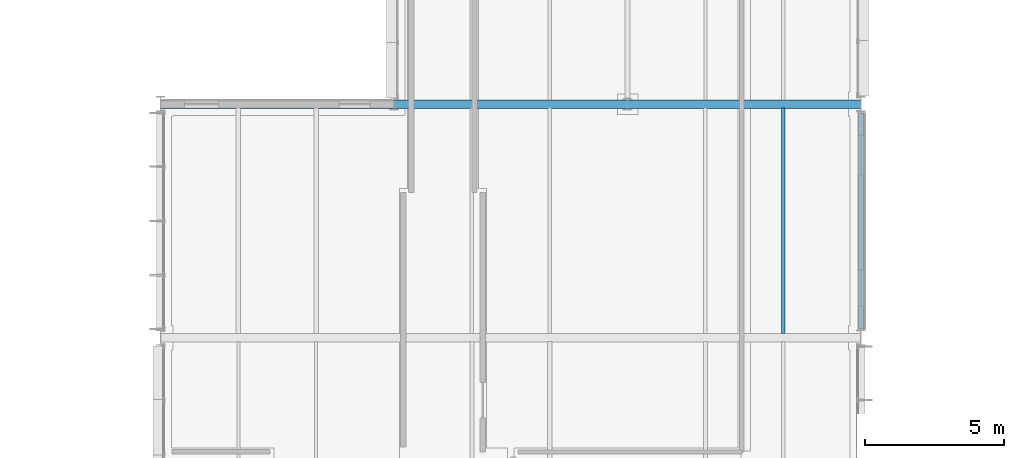
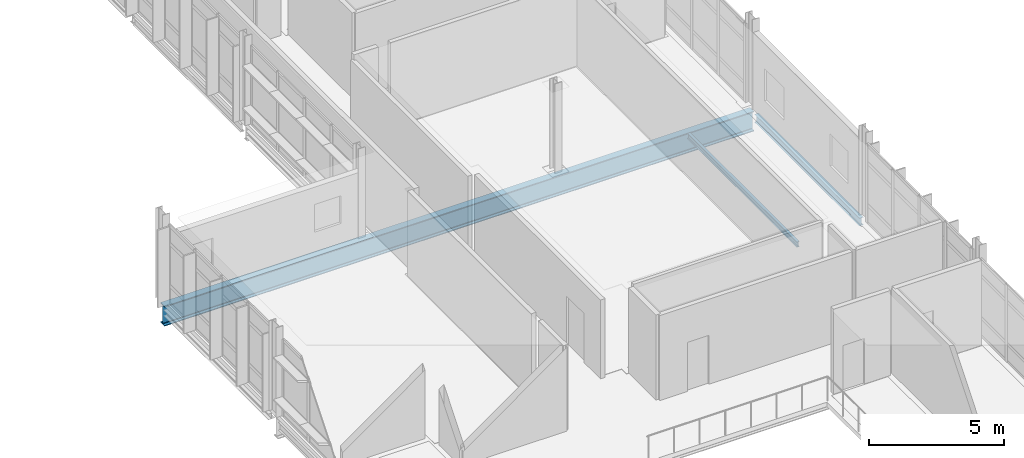
# One storey, part 65 of 151: 3 beams.
"""IFC4 building model written with IfcOpenShell, lengths in metres."""

from ifc_helpers import new_model, si_unit, direction, frame, origin, origin_2d, place, context, subcontext, project, spatial, i_section, extrude, material, material_profile, profile_set, type_object, element, save


model = new_model("IFC4")

# Units and contexts
model_context = context("Model", 3, precision=1e-05, world=origin(), true_north=direction((0.0, 1.0)))
body_context = subcontext(model_context, "Body", "Model", "MODEL_VIEW")
ifc_project = project(units=[si_unit("LENGTHUNIT", "METRE"), si_unit("AREAUNIT", "SQUARE_METRE"), si_unit("VOLUMEUNIT", "CUBIC_METRE"), si_unit("PLANEANGLEUNIT", "RADIAN"), si_unit("MASSUNIT", "GRAM", prefix="KILO")], contexts=[model_context])

# Site, building, storey
site_placement = place(None, origin())
site = spatial("IfcSite", under=ifc_project, at=site_placement, CompositionType="ELEMENT")
building_placement = place(site_placement, origin())
building = spatial("IfcBuilding", under=site, at=building_placement, Name="Mersafa Astral City Hall", CompositionType="ELEMENT")
storey_placement = place(building_placement, frame((0.0, 0.0, 9.89990234375)))
storey = spatial("IfcBuildingStorey", under=building, at=storey_placement, Name="L02", CompositionType="ELEMENT", Elevation=9.89990234375)

# Beams
ifc_material = material(Name="Steel S355", Category="steel")
ifc_material_profile_1 = material_profile(ifc_material, i_section(OverallWidth=0.300048828125, OverallDepth=0.89990234375, WebThickness=0.0185546875, FlangeThickness=0.034912109375, FilletRadius=0.030029296875, at=origin_2d()), Name="HEB 900")
ifc_profile_set_1 = profile_set([ifc_material_profile_1], Name="Steel S355")
beam_type_1 = type_object("IfcBeamType", Name="STR-BM-HEB900", PredefinedType="BEAM", material=ifc_profile_set_1)
beam_1_placement = place(storey_placement, frame((92.403076171875, 92.39990234375, -0.64990234375), z_axis=(1.0, 0.0, 0.0), x_axis=(0.0, 1.0, 0.0)))
element("IfcBeam", 1, at=beam_1_placement, inside=storey, type_object=beam_type_1, Name="L02 Public Service Hall clear-span portal girder 11", PredefinedType="BEAM", context=body_context, shape_type="SweptSolid", body=[
    extrude(i_section(OverallWidth=0.300048828125, OverallDepth=0.89990234375, WebThickness=0.0185546875, FlangeThickness=0.034912109375, FilletRadius=0.030029296875, at=origin_2d()), origin(), (0.0, 0.0, 1.0), 25.19384765625),
])
ifc_material_profile_2 = material_profile(ifc_material, i_section(OverallWidth=0.1201171875, OverallDepth=0.239990234375, WebThickness=0.006103515625, FlangeThickness=0.009765625, FilletRadius=0.014892578125, at=origin_2d()), Name="IPE 240")
ifc_profile_set_2 = profile_set([ifc_material_profile_2], Name="Steel S355")
beam_type_2 = type_object("IfcBeamType", Name="STR-BM-JOIST-IPE240", PredefinedType="JOIST", material=ifc_profile_set_2)
beam_2_placement = place(storey_placement, frame((114.800048828125, 84.14501953125, -0.31982421875), z_axis=(0.0, 1.0, 0.0), x_axis=(-1.0, 0.0, 0.0)))
element("IfcBeam", 2, at=beam_2_placement, inside=storey, type_object=beam_type_2, Name="L02 Composite secondary floor joist 485", PredefinedType="JOIST", context=body_context, shape_type="SweptSolid", body=[
    extrude(i_section(OverallWidth=0.1201171875, OverallDepth=0.239990234375, WebThickness=0.006103515625, FlangeThickness=0.009765625, FilletRadius=0.014892578125, at=origin_2d()), origin(), (0.0, 0.0, 1.0), 8.10986328125),
])
ifc_material_profile_3 = material_profile(ifc_material, i_section(OverallWidth=0.169921875, OverallDepth=0.360107421875, WebThickness=0.008056640625, FlangeThickness=0.0126953125, FilletRadius=0.01806640625, at=origin_2d()), Name="IPE 360")
ifc_profile_set_3 = profile_set([ifc_material_profile_3], Name="Steel S355")
beam_type_3 = type_object("IfcBeamType", Name="STR-BM-SPANDREL-IPE360", PredefinedType="SPANDREL", material=ifc_profile_set_3)
beam_3_placement = place(storey_placement, frame((117.60009765625, 84.320068359375, -0.3798828125), z_axis=(0.0, 1.0, 0.0), x_axis=(-1.0, 0.0, 0.0)))
element("IfcBeam", 3, at=beam_3_placement, inside=storey, type_object=beam_type_3, Name="L02 Primary girder Y 14-10", PredefinedType="SPANDREL", context=body_context, shape_type="SweptSolid", body=[
    extrude(i_section(OverallWidth=0.169921875, OverallDepth=0.360107421875, WebThickness=0.008056640625, FlangeThickness=0.0126953125, FilletRadius=0.01806640625, at=origin_2d()), origin(), (0.0, 0.0, 1.0), 7.760009765625),
])

save(model, "model.ifc")
